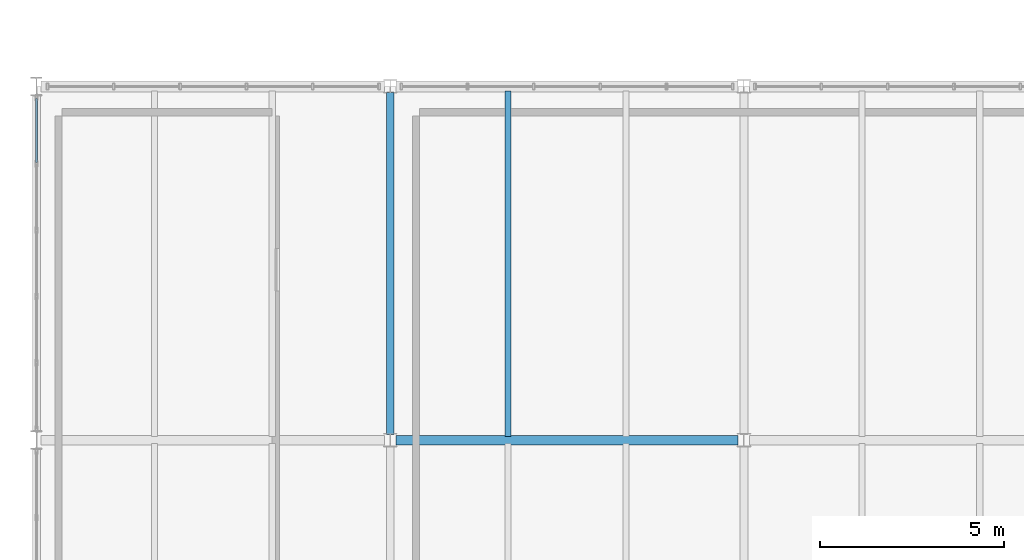
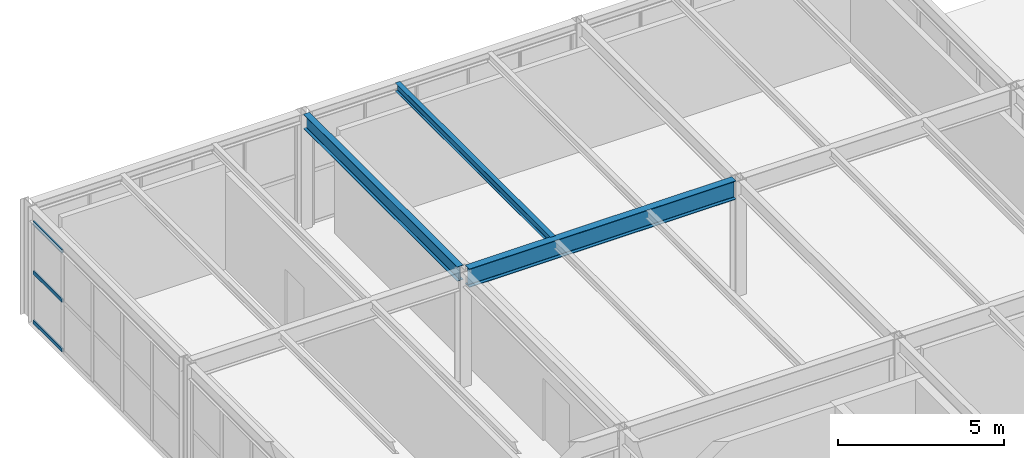
# One storey, part 45 of 170: 3 beams, 3 members, 1 element without a shape of its own.
"""IFC4 building model written with IfcOpenShell, lengths in metres."""

from ifc_helpers import new_model, si_unit, direction, frame, origin, origin_2d, place, context, subcontext, project, spatial, hollow_rectangle, i_section, extrude, material, material_profile, profile_set, type_object, element, aggregate, save


model = new_model("IFC4")

# Units and contexts
model_context = context("Model", 3, precision=1e-05, world=origin(), true_north=direction((0.0, 1.0)))
body_context = subcontext(model_context, "Body", "Model", "MODEL_VIEW")
ifc_project = project(units=[si_unit("LENGTHUNIT", "METRE"), si_unit("AREAUNIT", "SQUARE_METRE"), si_unit("VOLUMEUNIT", "CUBIC_METRE"), si_unit("PLANEANGLEUNIT", "RADIAN"), si_unit("MASSUNIT", "GRAM", prefix="KILO")], contexts=[model_context])

# Site, building, storey
site_placement = place(None, origin())
site = spatial("IfcSite", under=ifc_project, at=site_placement, CompositionType="ELEMENT")
building_placement = place(site_placement, origin())
building = spatial("IfcBuilding", under=site, at=building_placement, Name="Coralgate Yard Interchange", CompositionType="ELEMENT")
storey_placement = place(building_placement, frame((0.0, 0.0, 6.0)))
storey = spatial("IfcBuildingStorey", under=building, at=storey_placement, Name="L01", CompositionType="ELEMENT", Elevation=6.0)

# Beams
ifc_material_1 = material(Name="Structural steel S355J2", Category="steel")
ifc_material_profile_1 = material_profile(ifc_material_1, i_section(OverallWidth=0.209228515625, OverallDepth=0.533203125, WebThickness=0.010009765625, FlangeThickness=0.015625, FilletRadius=0.0126953125, at=origin_2d()), Name="UB 533x210x92")
ifc_profile_set_1 = profile_set([ifc_material_profile_1], Name="Structural steel S355J2")
beam_type_1 = type_object("IfcBeamType", Name="BM-SB-1", PredefinedType="BEAM", material=ifc_profile_set_1)
beam_1_placement = place(storey_placement, frame((9.60009765625, 48.154052734375, 3.9833984375), z_axis=(0.0, 1.0, 0.0), x_axis=(-1.0, 0.0, 0.0)))
element("IfcBeam", 1, at=beam_1_placement, inside=storey, type_object=beam_type_1, Name="L01 primary grid girder X1 Y5-6", PredefinedType="BEAM", context=body_context, shape_type="SweptSolid", body=[
    extrude(i_section(OverallWidth=0.209228515625, OverallDepth=0.533203125, WebThickness=0.010009765625, FlangeThickness=0.015625, FilletRadius=0.0126953125, at=origin_2d()), origin(), (0.0, 0.0, 1.0), 9.291748046875),
])
ifc_material_profile_2 = material_profile(ifc_material_1, i_section(OverallWidth=0.253662109375, OverallDepth=0.68359375, WebThickness=0.012451171875, FlangeThickness=0.01904296875, FilletRadius=0.01513671875, at=origin_2d()), Name="UB 686x254x140")
ifc_profile_set_2 = profile_set([ifc_material_profile_2], Name="Structural steel S355J2")
beam_type_2 = type_object("IfcBeamType", Name="BM-SG-4", PredefinedType="BEAM", material=ifc_profile_set_2)
beam_2_placement = place(storey_placement, frame((9.75634765625, 48.0, 3.908203125), z_axis=(1.0, 0.0, 0.0), x_axis=(0.0, 1.0, 0.0)))
element("IfcBeam", 2, at=beam_2_placement, inside=storey, type_object=beam_type_2, Name="L01 primary grid beam Y5 X1-2", PredefinedType="BEAM", context=body_context, shape_type="SweptSolid", body=[
    extrude(i_section(OverallWidth=0.253662109375, OverallDepth=0.68359375, WebThickness=0.012451171875, FlangeThickness=0.01904296875, FilletRadius=0.01513671875, at=origin_2d()), origin(), (0.0, 0.0, 1.0), 9.287353515625),
])
ifc_material_profile_3 = material_profile(ifc_material_1, i_section(OverallWidth=0.1650390625, OverallDepth=0.303466796875, WebThickness=0.006103515625, FlangeThickness=0.01025390625, FilletRadius=0.0087890625, at=origin_2d()), Name="UB 305x165x40")
ifc_profile_set_3 = profile_set([ifc_material_profile_3], Name="Structural steel S355J2")
beam_type_3 = type_object("IfcBeamType", Name="BM-SJ-1", PredefinedType="JOIST", material=ifc_profile_set_3)
beam_3_placement = place(storey_placement, frame((12.800048828125, 48.096923828125, 4.098388671875), z_axis=(0.0, 1.0, 0.0), x_axis=(-1.0, 0.0, 0.0)))
element("IfcBeam", 3, at=beam_3_placement, inside=storey, type_object=beam_type_3, Name="L01 composite floor joist 1-5-1", PredefinedType="JOIST", context=body_context, shape_type="SweptSolid", body=[
    extrude(i_section(OverallWidth=0.1650390625, OverallDepth=0.303466796875, WebThickness=0.006103515625, FlangeThickness=0.01025390625, FilletRadius=0.0087890625, at=origin_2d()), origin(), (0.0, 0.0, 1.0), 9.383056640625),
])

# Curtain wall, members
ifc_material_2 = material(Name="Anodised coastal aluminium and solar-control low-E glass", Category="aluminium")
curtain_wall_type = type_object("IfcCurtainWallType", Name="CW-CW-L01-A", PredefinedType="NOTDEFINED", material=ifc_material_2)
curtain_wall_placement = place(storey_placement, origin())
curtain_wall = element("IfcCurtainWall", 4, at=curtain_wall_placement, inside=storey, type_object=curtain_wall_type, Name="L01 unitised curtain wall CW-L01-W-00-05", PredefinedType="NOTDEFINED")
ifc_material_3 = material(Name="Anodised coastal aluminium 6063-T6", Category="aluminium")
ifc_material_profile_4 = material_profile(ifc_material_3, hollow_rectangle(XDim=0.06005859375, YDim=0.139892578125, WallThickness=0.00341796875, InnerFilletRadius=0.00341796875, OuterFilletRadius=0.007080078125, at=origin_2d()), Name="ALU 60x140x3.5")
ifc_profile_set_4 = profile_set([ifc_material_profile_4], Name="Anodised coastal aluminium 6063-T6")
member_type = type_object("IfcMemberType", Name="MB-TRN-140", PredefinedType="USERDEFINED", material=ifc_profile_set_4)
member_1_placement = place(storey_placement, frame((0.0, 55.530029296875, 0.034912109375), z_axis=(0.0, 1.0, 0.0), x_axis=(-1.0, 0.0, 0.0)))
member_1 = element("IfcMember", 5, at=member_1_placement, type_object=member_type, Name="CW-L01-W-00-05 horizontal transom 5-1", ObjectType="TRANSOM", PredefinedType="USERDEFINED", context=body_context, shape_type="SweptSolid", body=[
    extrude(hollow_rectangle(XDim=0.06005859375, YDim=0.139892578125, WallThickness=0.00341796875, InnerFilletRadius=0.00341796875, OuterFilletRadius=0.007080078125, at=origin_2d()), origin(), (0.0, 0.0, 1.0), 1.739990234375),
])
member_2_placement = place(storey_placement, frame((0.0, 55.530029296875, 1.8583984375), z_axis=(0.0, 1.0, 0.0), x_axis=(-1.0, 0.0, 0.0)))
member_2 = element("IfcMember", 6, at=member_2_placement, type_object=member_type, Name="CW-L01-W-00-05 horizontal transom 5-2", ObjectType="TRANSOM", PredefinedType="USERDEFINED", context=body_context, shape_type="SweptSolid", body=[
    extrude(hollow_rectangle(XDim=0.06005859375, YDim=0.139892578125, WallThickness=0.00341796875, InnerFilletRadius=0.00341796875, OuterFilletRadius=0.007080078125, at=origin_2d()), origin(), (0.0, 0.0, 1.0), 1.739990234375),
])
member_3_placement = place(storey_placement, frame((0.0, 55.530029296875, 3.681884765625), z_axis=(0.0, 1.0, 0.0), x_axis=(-1.0, 0.0, 0.0)))
member_3 = element("IfcMember", 7, at=member_3_placement, type_object=member_type, Name="CW-L01-W-00-05 horizontal transom 5-3", ObjectType="TRANSOM", PredefinedType="USERDEFINED", context=body_context, shape_type="SweptSolid", body=[
    extrude(hollow_rectangle(XDim=0.06005859375, YDim=0.139892578125, WallThickness=0.00341796875, InnerFilletRadius=0.00341796875, OuterFilletRadius=0.007080078125, at=origin_2d()), origin(), (0.0, 0.0, 1.0), 1.739990234375),
])
aggregate(curtain_wall, [member_1, member_2, member_3])

save(model, "model.ifc")
